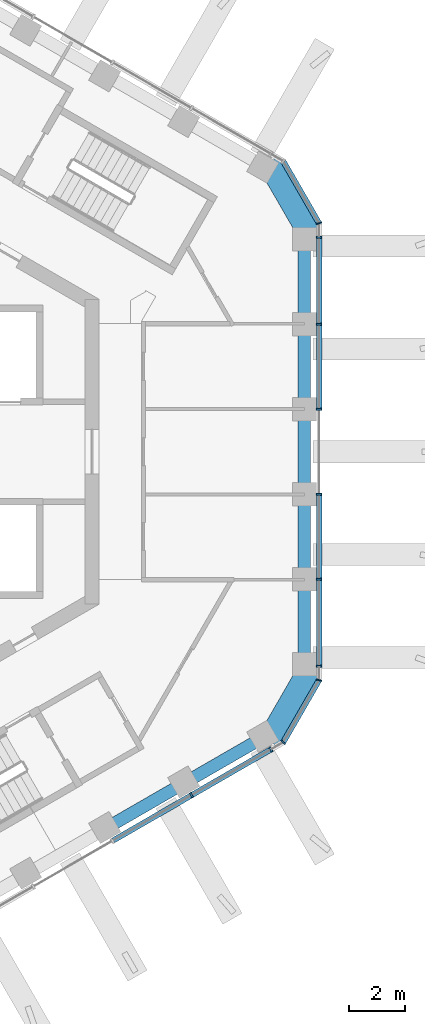
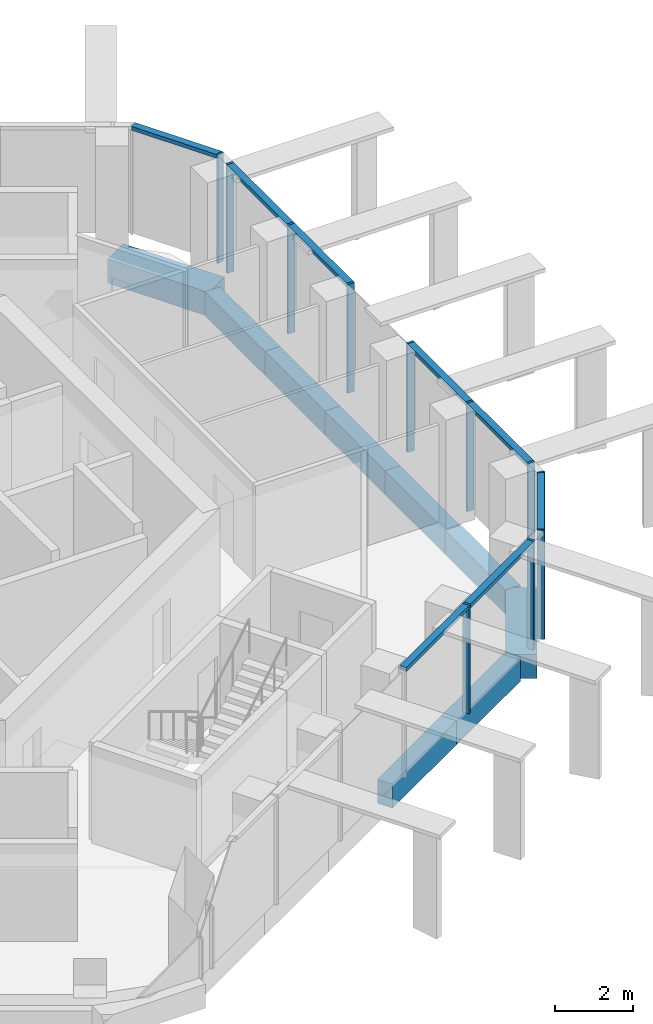
# One storey, part 4 of 19: 16 members, 9 beams, 4 elements without a shape of their own.
"""IFC4 building model written with IfcOpenShell, lengths in metres."""

import ifcopenshell
import ifcopenshell.guid

model = None  # the IFC model being written
_history = None  # IfcOwnerHistory: only IFC2X3 demands one
_inside = {}  # id of a spatial element -> (the spatial element, [elements in it])
_under = {}  # id of a project, library or spatial element -> (it, [spatial elements below it])
_declared = {}  # id of a project -> (the project, [libraries it declares])
_typed = {}  # id of a type object -> (the type object, [elements of that type])
_made_of = {}  # id of a material, layer set ... -> (it, [elements and type objects made of it])


def new_model(schema):
    """Start an empty IFC model of exactly this schema.

    Asked for "IFC4X3", IfcOpenShell would pick the latest addendum, in which some entities
    have other attributes; the version numbers below select the first issue.
    IFC2X3 requires an IfcOwnerHistory on every rooted entity: one is made here for all.
    """
    global model, _history
    if schema == "IFC4X3":
        model = ifcopenshell.file(schema_version=(4, 3, 0, 0))
    else:
        model = ifcopenshell.file(schema=schema)
    _inside.clear()
    _under.clear()
    _declared.clear()
    _typed.clear()
    _made_of.clear()
    _history = None
    if model.schema == "IFC2X3":
        org = make("IfcOrganization", Name="unknown")
        user = make(
            "IfcPersonAndOrganization",
            ThePerson=make("IfcPerson", FamilyName="unknown"),
            TheOrganization=org,
        )
        app = make(
            "IfcApplication",
            ApplicationDeveloper=org,
            Version="unknown",
            ApplicationFullName="unknown",
            ApplicationIdentifier="unknown",
        )
        _history = make(
            "IfcOwnerHistory",
            OwningUser=user,
            OwningApplication=app,
            ChangeAction="ADDED",
            CreationDate=0,
        )
    return model


def make(cls, **values):
    """One entity of the class cls with the attributes given. An attribute that is None is left unset."""
    return model.create_entity(
        cls, **{name: value for name, value in values.items() if value is not None}
    )


def rooted(cls, **values):
    """An entity with a GlobalId (a new one), such as an element, a storey or a relation."""
    return make(cls, GlobalId=ifcopenshell.guid.new(), OwnerHistory=_history, **values)


def si_unit(unit_type, name, prefix=None):
    """IfcSIUnit, for example si_unit("LENGTHUNIT", "METRE", prefix="MILLI")."""
    return make("IfcSIUnit", UnitType=unit_type, Prefix=prefix, Name=name)


def assignment(units):
    """IfcUnitAssignment: the units of a project."""
    return None if units is None else make("IfcUnitAssignment", Units=units)


def point(xyz):
    """IfcCartesianPoint."""
    return None if xyz is None else make("IfcCartesianPoint", Coordinates=xyz)


def direction(xyz):
    """IfcDirection."""
    return None if xyz is None else make("IfcDirection", DirectionRatios=xyz)


def frame(location, z_axis=None, x_axis=None):
    """IfcAxis2Placement3D, a coordinate frame: its origin and axes. An axis left out is left unset."""
    return make(
        "IfcAxis2Placement3D",
        Location=point(location),
        Axis=direction(z_axis),
        RefDirection=direction(x_axis),
    )


def frame_2d(location, x_axis=None):
    """IfcAxis2Placement2D, a coordinate frame in the plane: its origin and x axis."""
    return make(
        "IfcAxis2Placement2D", Location=point(location), RefDirection=direction(x_axis)
    )


def origin():
    """The frame at (0, 0, 0) with its axes left unset."""
    return frame((0.0, 0.0, 0.0))


def origin_2d():
    """The frame at (0, 0) in the plane with its x axis left unset."""
    return frame_2d((0.0, 0.0))


def place(relative_to, where):
    """IfcLocalPlacement: puts the frame where relative to a parent placement (None: the world)."""
    return make(
        "IfcLocalPlacement", PlacementRelTo=relative_to, RelativePlacement=where
    )


def context(
    kind, dimensions, precision=None, world=None, true_north=None, identifier=None
):
    """IfcGeometricRepresentationContext, for example the 3D "Model" context."""
    return make(
        "IfcGeometricRepresentationContext",
        ContextIdentifier=identifier,
        ContextType=kind,
        CoordinateSpaceDimension=dimensions,
        Precision=precision,
        WorldCoordinateSystem=world,
        TrueNorth=true_north,
    )


def subcontext(parent, identifier, kind, view, scale=None):
    """IfcGeometricRepresentationSubContext, for example "Body" below "Model"."""
    return make(
        "IfcGeometricRepresentationSubContext",
        ContextIdentifier=identifier,
        ContextType=kind,
        ParentContext=parent,
        TargetScale=scale,
        TargetView=view,
    )


def project(units=None, contexts=None):
    """IfcProject with its units and contexts."""
    return rooted(
        "IfcProject",
        Name="project",
        RepresentationContexts=contexts,
        UnitsInContext=assignment(units),
    )


def spatial(cls, under=None, at=None, **own):
    """A site, building, storey or space (cls), placed at a placement, below another one or the project."""
    s = rooted(cls, ObjectPlacement=at, **own)
    if under is not None:
        _under.setdefault(under.id(), (under, []))[1].append(s)
    return s


def profile(cls, at=None, kind="AREA", **sizes):
    """A parametric profile (cls). Its sizes go by their IFC names, for example OverallWidth=200.0."""
    return make(cls, ProfileType=kind, Position=at, **sizes)


def rectangle(**sizes):
    """IfcRectangleProfileDef."""
    return profile("IfcRectangleProfileDef", **sizes)


def extrude(swept, where, along, depth):
    """IfcExtrudedAreaSolid: the profile swept, set in the frame where, extruded along a direction by depth."""
    return make(
        "IfcExtrudedAreaSolid",
        SweptArea=swept,
        Position=where,
        ExtrudedDirection=direction(along),
        Depth=depth,
    )


def shape(context_of_items, identifier, shape_type, items):
    """IfcShapeRepresentation: the items that make up one representation, for example the "Body"."""
    return make(
        "IfcShapeRepresentation",
        ContextOfItems=context_of_items,
        RepresentationIdentifier=identifier,
        RepresentationType=shape_type,
        Items=items,
    )


def material(Name=None, Category=None):
    """IfcMaterial."""
    return make("IfcMaterial", Name=Name, Category=Category)


def layer(
    of_material, thickness, ventilated=None, Name=None, Category=None, Priority=None
):
    """IfcMaterialLayer: one layer of a wall or slab, of a material (None: an air gap)."""
    return make(
        "IfcMaterialLayer",
        Material=of_material,
        LayerThickness=thickness,
        IsVentilated=ventilated,
        Name=Name,
        Category=Category,
        Priority=Priority,
    )


def layer_set(layers, Name=None):
    """IfcMaterialLayerSet."""
    return make("IfcMaterialLayerSet", MaterialLayers=layers, LayerSetName=Name)


def material_profile(
    of_material, cross_section, Name=None, Category=None, Priority=None
):
    """IfcMaterialProfile: a cross section and its material."""
    return make(
        "IfcMaterialProfile",
        Name=Name,
        Material=of_material,
        Profile=cross_section,
        Priority=Priority,
        Category=Category,
    )


def profile_set(profiles, Name=None, composite=None):
    """IfcMaterialProfileSet."""
    return make(
        "IfcMaterialProfileSet",
        Name=Name,
        MaterialProfiles=profiles,
        CompositeProfile=composite,
    )


def made_of(thing, what):
    """Note that an element or type object is made of a material, layer set ...; save() writes the relation."""
    if what is not None:
        _made_of.setdefault(what.id(), (what, []))[1].append(thing)
    return thing


def type_object(cls, material=None, **own):
    """A type object (cls), such as IfcWallType, which elements share."""
    return made_of(rooted(cls, **own), material)


def element(
    cls,
    number,
    at=None,
    inside=None,
    cuts=None,
    type_object=None,
    material=None,
    context=None,
    identifier="Body",
    shape_type=None,
    held_by="IfcProductDefinitionShape",
    body=None,
    shapes=None,
    **own,
):
    """One element of the class cls, such as IfcWall. Its Tag is "e" and its number.

    at: its placement. inside: the storey or other place that contains it. cuts: it is an
    opening in that element (IfcRelVoidsElement). A single representation is given by context,
    identifier, shape_type and body (its items); several are given by shapes. held_by: the class
    of the entity that holds the representations. save() writes the other relations.
    """
    e = rooted(cls, Tag="e%d" % number, ObjectPlacement=at, **own)
    if body is not None:
        shapes = [shape(context, identifier, shape_type, body)]
    if shapes is not None:
        e.Representation = make(held_by, Representations=shapes)
    if inside is not None:
        _inside.setdefault(inside.id(), (inside, []))[1].append(e)
    if cuts is not None:
        rooted(
            "IfcRelVoidsElement", RelatingBuildingElement=cuts, RelatedOpeningElement=e
        )
    if type_object is not None:
        _typed.setdefault(type_object.id(), (type_object, []))[1].append(e)
    return made_of(e, material)


def aggregate(whole, parts):
    """IfcRelAggregates: a whole, such as a stair, and the parts it consists of."""
    return rooted("IfcRelAggregates", RelatingObject=whole, RelatedObjects=parts)


def save(model, path):
    """Write the relations noted so far, then the file.

    IfcRelAggregates (storeys below a building ...), IfcRelContainedInSpatialStructure (elements
    in a storey), IfcRelDefinesByType, IfcRelAssociatesMaterial and IfcRelDeclares: one each for
    every whole, place, type object, material and project.
    """
    for whole, parts in _under.values():
        aggregate(whole, parts)
    for where, things in _inside.values():
        rooted(
            "IfcRelContainedInSpatialStructure",
            RelatedElements=things,
            RelatingStructure=where,
        )
    for kind, things in _typed.values():
        rooted("IfcRelDefinesByType", RelatedObjects=things, RelatingType=kind)
    for what, things in _made_of.values():
        rooted("IfcRelAssociatesMaterial", RelatedObjects=things, RelatingMaterial=what)
    for by, libraries in _declared.values():
        rooted("IfcRelDeclares", RelatingContext=by, RelatedDefinitions=libraries)
    model.write(path)


model = new_model("IFC4")

# Units and contexts
model_context = context("Model", 3, precision=1e-05, world=origin(), true_north=direction((0.0, 1.0)))
body_context = subcontext(model_context, "Body", "Model", "MODEL_VIEW")
ifc_project = project(units=[si_unit("LENGTHUNIT", "METRE"), si_unit("AREAUNIT", "SQUARE_METRE"), si_unit("VOLUMEUNIT", "CUBIC_METRE"), si_unit("PLANEANGLEUNIT", "RADIAN"), si_unit("MASSUNIT", "GRAM", prefix="KILO")], contexts=[model_context])

# Site, building, storey
site_placement = place(None, origin())
site = spatial("IfcSite", under=ifc_project, at=site_placement, CompositionType="ELEMENT")
building_placement = place(site_placement, origin())
building = spatial("IfcBuilding", under=site, at=building_placement, Name="Ayvan Gate Tower", CompositionType="ELEMENT")
storey_placement = place(building_placement, frame((0.0, 0.0, 235.89990234375)))
storey = spatial("IfcBuildingStorey", under=building, at=storey_placement, Name="L63", CompositionType="ELEMENT", Elevation=235.89990234375)

# Beams
ifc_material_1 = material(Name="Concrete C40/50", Category="concrete")
ifc_material_profile_1 = material_profile(ifc_material_1, rectangle(XDim=0.800048828125, YDim=0.75, at=origin_2d()), Name="RC 800x750")
ifc_profile_set_1 = profile_set([ifc_material_profile_1], Name="Concrete C40/50")
beam_type_1 = type_object("IfcBeamType", Name="Corner spandrel beam RC 800x750 C40/50", PredefinedType="BEAM", material=ifc_profile_set_1)
for number, where, z_axis, x_axis, name in (
    (1, (17.078125, 7.7998046875, -0.724853515625), (-0.499990139034, 0.866031096941, 0.0), (-0.866031096941, -0.499990139034, 0.0), "SB-L63-6"),
    (2, (15.578125, -10.39794921875, -0.724853515625), (0.499990139034, 0.866031096941, 0.0), (-0.866031096941, 0.499990139034, 0.0), "SB-L63-36"),
):
    element("IfcBeam", number, at=place(storey_placement, frame(where, z_axis=z_axis, x_axis=x_axis)), inside=storey, type_object=beam_type_1, Name=name, PredefinedType="BEAM", context=body_context, shape_type="SweptSolid", body=[
        extrude(rectangle(XDim=0.800048828125, YDim=0.75, at=origin_2d()), origin(), (0.0, 0.0, 1.0), 3.0),
    ])
ifc_material_profile_2 = material_profile(ifc_material_1, rectangle(XDim=0.449951171875, YDim=0.75, at=origin_2d()), Name="RC 450x750")
ifc_profile_set_2 = profile_set([ifc_material_profile_2], Name="Concrete C40/50")
beam_type_2 = type_object("IfcBeamType", Name="Spandrel beam RC 450x750 C40/50", PredefinedType="BEAM", material=ifc_profile_set_2)
for number, where, z_axis, x_axis, name in (
    (3, (16.887451171875, -7.68994140625, -0.724853515625), (0.0, 1.0, 0.0), (-1.0, 0.0, 0.0), "SB-L63-1"),
    (4, (16.887451171875, -4.614013671875, -0.724853515625), (0.0, 1.0, 0.0), (-1.0, 0.0, 0.0), "SB-L63-2"),
):
    element("IfcBeam", number, at=place(storey_placement, frame(where, z_axis=z_axis, x_axis=x_axis)), inside=storey, type_object=beam_type_2, Name=name, PredefinedType="BEAM", context=body_context, shape_type="SweptSolid", body=[
        extrude(rectangle(XDim=0.449951171875, YDim=0.75, at=origin_2d()), origin(), (0.0, 0.0, 1.0), 3.075927734375),
    ])
beam_1_placement = place(storey_placement, frame((16.887451171875, -1.5380859375, -0.724853515625), z_axis=(0.0, 1.0, 0.0), x_axis=(-1.0, 0.0, 0.0)))
element("IfcBeam", 5, at=beam_1_placement, inside=storey, type_object=beam_type_2, Name="SB-L63-3", PredefinedType="BEAM", context=body_context, shape_type="SweptSolid", body=[
    extrude(rectangle(XDim=0.449951171875, YDim=0.75, at=origin_2d()), origin(), (0.0, 0.0, 1.0), 3.076171875),
])
for number, where, z_axis, x_axis, name in (
    (6, (16.887451171875, 1.5380859375, -0.724853515625), (0.0, 1.0, 0.0), (-1.0, 0.0, 0.0), "SB-L63-4"),
    (7, (16.887451171875, 4.614013671875, -0.724853515625), (0.0, 1.0, 0.0), (-1.0, 0.0, 0.0), "SB-L63-5"),
):
    element("IfcBeam", number, at=place(storey_placement, frame(where, z_axis=z_axis, x_axis=x_axis)), inside=storey, type_object=beam_type_2, Name=name, PredefinedType="BEAM", context=body_context, shape_type="SweptSolid", body=[
        extrude(rectangle(XDim=0.449951171875, YDim=0.75, at=origin_2d()), origin(), (0.0, 0.0, 1.0), 3.075927734375),
    ])
beam_2_placement = place(storey_placement, frame((9.71875, -13.560791015625, -0.724853515625), z_axis=(0.866026586771, 0.499997951001, 0.0), x_axis=(-0.499997951001, 0.866026586771, 0.0)))
element("IfcBeam", 8, at=beam_2_placement, inside=storey, type_object=beam_type_2, Name="SB-L63-34", PredefinedType="BEAM", context=body_context, shape_type="SweptSolid", body=[
    extrude(rectangle(XDim=0.449951171875, YDim=0.75, at=origin_2d()), origin(), (0.0, 0.0, 1.0), 3.27294921875),
])
beam_3_placement = place(storey_placement, frame((12.55322265625, -11.92431640625, -0.724853515625), z_axis=(0.8660402394, 0.49997430308, 0.0), x_axis=(-0.49997430308, 0.8660402394, 0.0)))
element("IfcBeam", 9, at=beam_3_placement, inside=storey, type_object=beam_type_2, Name="SB-L63-35", PredefinedType="BEAM", context=body_context, shape_type="SweptSolid", body=[
    extrude(rectangle(XDim=0.449951171875, YDim=0.75, at=origin_2d()), origin(), (0.0, 0.0, 1.0), 3.272705078125),
])

# Curtain wall, members
ifc_material_2 = material(Name="Bronze anodised aluminium", Category="aluminium")
ifc_layer_1 = layer(ifc_material_2, 0.199951171875)
ifc_layer_set_1 = layer_set([ifc_layer_1], Name="Bronze anodised aluminium")
curtain_wall_type_1 = type_object("IfcCurtainWallType", Name="Stick curtain wall CW-2", PredefinedType="NOTDEFINED", material=ifc_layer_set_1)
curtain_wall_1_placement = place(storey_placement, origin())
curtain_wall_1 = element("IfcCurtainWall", 10, at=curtain_wall_1_placement, inside=storey, type_object=curtain_wall_type_1, Name="Stick curtain wall CW-2 L63", PredefinedType="NOTDEFINED")
ifc_material_profile_3 = material_profile(ifc_material_2, rectangle(XDim=0.199951171875, YDim=0.070068359375, at=origin_2d()), Name="Stick curtain wall CW-2 mullion 200 x 70")
ifc_profile_set_3 = profile_set([ifc_material_profile_3], Name="Bronze anodised aluminium")
member_type_1 = type_object("IfcMemberType", Name="Stick curtain wall CW-2 mullion 200 x 70", PredefinedType="MULLION", material=ifc_profile_set_3)
member_1_placement = place(storey_placement, frame((12.82177734375, -12.36083984375, 0.0), z_axis=(0.0, 0.0, 1.0), x_axis=(0.5, -0.866025403784, 0.0)))
member_1 = element("IfcMember", 11, at=member_1_placement, type_object=member_type_1, Name="CW-2 mullion 5", PredefinedType="MULLION", context=body_context, shape_type="SweptSolid", body=[
    extrude(rectangle(XDim=0.199951171875, YDim=0.070068359375, at=origin_2d()), origin(), (0.0, 0.0, 1.0), 3.400146484375),
])
member_2_placement = place(storey_placement, frame((15.679443359375, -10.7109375, 0.0), z_axis=(0.0, 0.0, 1.0), x_axis=(0.5, -0.866025403784, 0.0)))
member_2 = element("IfcMember", 12, at=member_2_placement, type_object=member_type_1, Name="CW-2 mullion 6", PredefinedType="MULLION", context=body_context, shape_type="SweptSolid", body=[
    extrude(rectangle(XDim=0.199951171875, YDim=0.070068359375, at=origin_2d()), origin(), (0.0, 0.0, 1.0), 3.400146484375),
])

curtain_wall_2_placement = place(storey_placement, origin())
curtain_wall_2 = element("IfcCurtainWall", 13, at=curtain_wall_2_placement, inside=storey, type_object=curtain_wall_type_1, Name="Stick curtain wall CW-2 L63", PredefinedType="NOTDEFINED")
member_3_placement = place(storey_placement, frame((17.41259765625, -7.70947265625, 0.0), z_axis=(0.0, 0.0, 1.0), x_axis=(1.0, 0.0, 0.0)))
member_3 = element("IfcMember", 14, at=member_3_placement, type_object=member_type_1, Name="CW-2 mullion 1", PredefinedType="MULLION", context=body_context, shape_type="SweptSolid", body=[
    extrude(rectangle(XDim=0.199951171875, YDim=0.070068359375, at=origin_2d()), origin(), (0.0, 0.0, 1.0), 3.400146484375),
])
member_4_placement = place(storey_placement, frame((17.41259765625, -4.58447265625, 0.0), z_axis=(0.0, 0.0, 1.0), x_axis=(1.0, 0.0, 0.0)))
member_4 = element("IfcMember", 15, at=member_4_placement, type_object=member_type_1, Name="CW-2 mullion 2", PredefinedType="MULLION", context=body_context, shape_type="SweptSolid", body=[
    extrude(rectangle(XDim=0.199951171875, YDim=0.070068359375, at=origin_2d()), origin(), (0.0, 0.0, 1.0), 3.400146484375),
])
member_5_placement = place(storey_placement, frame((17.41259765625, -1.5283203125, 0.0), z_axis=(0.0, 0.0, 1.0), x_axis=(1.0, 0.0, 0.0)))
member_5 = element("IfcMember", 16, at=member_5_placement, type_object=member_type_1, Name="CW-2 mullion 3", PredefinedType="MULLION", context=body_context, shape_type="SweptSolid", body=[
    extrude(rectangle(XDim=0.199951171875, YDim=0.070068359375, at=origin_2d()), origin(), (0.0, 0.0, 1.0), 3.400146484375),
])
member_6_placement = place(storey_placement, frame((17.41259765625, 1.528564453125, 0.0), z_axis=(0.0, 0.0, 1.0), x_axis=(1.0, 0.0, 0.0)))
member_6 = element("IfcMember", 17, at=member_6_placement, type_object=member_type_1, Name="CW-2 mullion 4", PredefinedType="MULLION", context=body_context, shape_type="SweptSolid", body=[
    extrude(rectangle(XDim=0.199951171875, YDim=0.070068359375, at=origin_2d()), origin(), (0.0, 0.0, 1.0), 3.400146484375),
])
member_7_placement = place(storey_placement, frame((17.41259765625, 4.58447265625, 0.0), z_axis=(0.0, 0.0, 1.0), x_axis=(1.0, 0.0, 0.0)))
member_7 = element("IfcMember", 18, at=member_7_placement, type_object=member_type_1, Name="CW-2 mullion 5", PredefinedType="MULLION", context=body_context, shape_type="SweptSolid", body=[
    extrude(rectangle(XDim=0.199951171875, YDim=0.070068359375, at=origin_2d()), origin(), (0.0, 0.0, 1.0), 3.400146484375),
])
member_8_placement = place(storey_placement, frame((17.41259765625, 7.70947265625, 0.0), z_axis=(0.0, 0.0, 1.0), x_axis=(1.0, 0.0, 0.0)))
member_8 = element("IfcMember", 19, at=member_8_placement, type_object=member_type_1, Name="CW-2 mullion 6", PredefinedType="MULLION", context=body_context, shape_type="SweptSolid", body=[
    extrude(rectangle(XDim=0.199951171875, YDim=0.070068359375, at=origin_2d()), origin(), (0.0, 0.0, 1.0), 3.400146484375),
])

# Member
ifc_material_profile_4 = material_profile(ifc_material_2, rectangle(XDim=0.199951171875, YDim=0.1201171875, at=origin_2d()), Name="Stick curtain wall CW-2 transom 200 x 120")
ifc_profile_set_4 = profile_set([ifc_material_profile_4], Name="Bronze anodised aluminium")
member_type_2 = type_object("IfcMemberType", Name="Stick curtain wall CW-2 transom 200 x 120", PredefinedType="USERDEFINED", material=ifc_profile_set_4)
member_9_placement = place(storey_placement, frame((10.009765625, -13.984375, 3.340087890625), z_axis=(0.866022259828, 0.500005445454, 0.0), x_axis=(-0.500005445454, 0.866022259828, 0.0)))
member_9 = element("IfcMember", 20, at=member_9_placement, type_object=member_type_2, Name="CW-2 transom 2", ObjectType="TRANSOM", PredefinedType="USERDEFINED", context=body_context, shape_type="SweptSolid", body=[
    extrude(rectangle(XDim=0.199951171875, YDim=0.1201171875, at=origin_2d()), origin(), (0.0, 0.0, 1.0), 6.546875),
])

aggregate(curtain_wall_1, [member_1, member_2, member_9])

member_10_placement = place(storey_placement, frame((17.41259765625, -7.70947265625, 3.340087890625), z_axis=(0.0, 1.0, 0.0), x_axis=(-1.0, 0.0, 0.0)))
member_10 = element("IfcMember", 21, at=member_10_placement, type_object=member_type_2, Name="CW-2 transom 1", ObjectType="TRANSOM", PredefinedType="USERDEFINED", context=body_context, shape_type="SweptSolid", body=[
    extrude(rectangle(XDim=0.199951171875, YDim=0.1201171875, at=origin_2d()), origin(), (0.0, 0.0, 1.0), 6.14599609375),
])

member_11_placement = place(storey_placement, frame((17.41259765625, 1.5634765625, 3.340087890625), z_axis=(0.0, 1.0, 0.0), x_axis=(-1.0, 0.0, 0.0)))
member_11 = element("IfcMember", 22, at=member_11_placement, type_object=member_type_2, Name="CW-2 transom 2", ObjectType="TRANSOM", PredefinedType="USERDEFINED", context=body_context, shape_type="SweptSolid", body=[
    extrude(rectangle(XDim=0.199951171875, YDim=0.1201171875, at=origin_2d()), origin(), (0.0, 0.0, 1.0), 6.14599609375),
])

aggregate(curtain_wall_2, [member_3, member_4, member_5, member_6, member_7, member_8, member_10, member_11])

# Curtain wall, members
ifc_layer_2 = layer(ifc_material_2, 0.199951171875)
ifc_layer_set_2 = layer_set([ifc_layer_2], Name="Bronze anodised aluminium")
curtain_wall_type_2 = type_object("IfcCurtainWallType", Name="Stick curtain wall CW-6", PredefinedType="NOTDEFINED", material=ifc_layer_set_2)
curtain_wall_3_placement = place(storey_placement, origin())
curtain_wall_3 = element("IfcCurtainWall", 23, at=curtain_wall_3_placement, inside=storey, type_object=curtain_wall_type_2, Name="Stick curtain wall CW-6 L63", PredefinedType="NOTDEFINED")
ifc_material_profile_5 = material_profile(ifc_material_2, rectangle(XDim=0.199951171875, YDim=0.050048828125, at=origin_2d()), Name="Stick curtain wall CW-6 mullion 200 x 50")
ifc_profile_set_5 = profile_set([ifc_material_profile_5], Name="Bronze anodised aluminium")
member_type_3 = type_object("IfcMemberType", Name="Stick curtain wall CW-6 mullion 200 x 50", PredefinedType="MULLION", material=ifc_profile_set_5)
member_12_placement = place(storey_placement, frame((16.12109375, -10.4560546875, 0.0), z_axis=(0.0, 0.0, 1.0), x_axis=(0.707106781187, -0.707106781187, 0.0)))
member_12 = element("IfcMember", 24, at=member_12_placement, type_object=member_type_3, Name="CW-6 mullion 2", PredefinedType="MULLION", context=body_context, shape_type="SweptSolid", body=[
    extrude(rectangle(XDim=0.199951171875, YDim=0.050048828125, at=origin_2d()), origin(), (0.0, 0.0, 1.0), 3.400146484375),
])
member_13_placement = place(storey_placement, frame((17.41259765625, -8.219482421875, 0.0), z_axis=(0.0, 0.0, 1.0), x_axis=(0.965925826289, -0.258819045103, 0.0)))
member_13 = element("IfcMember", 25, at=member_13_placement, type_object=member_type_3, Name="CW-6 mullion 3", PredefinedType="MULLION", context=body_context, shape_type="SweptSolid", body=[
    extrude(rectangle(XDim=0.199951171875, YDim=0.050048828125, at=origin_2d()), origin(), (0.0, 0.0, 1.0), 3.400146484375),
])

# Curtain wall, member
curtain_wall_4_placement = place(storey_placement, origin())
curtain_wall_4 = element("IfcCurtainWall", 26, at=curtain_wall_4_placement, inside=storey, type_object=curtain_wall_type_2, Name="Stick curtain wall CW-6 L63", PredefinedType="NOTDEFINED")
member_14_placement = place(storey_placement, frame((17.41259765625, 8.219482421875, 0.0), z_axis=(0.0, 0.0, 1.0), x_axis=(0.965925826289, 0.258819045103, 0.0)))
member_14 = element("IfcMember", 27, at=member_14_placement, type_object=member_type_3, Name="CW-6 mullion 2", PredefinedType="MULLION", context=body_context, shape_type="SweptSolid", body=[
    extrude(rectangle(XDim=0.199951171875, YDim=0.050048828125, at=origin_2d()), origin(), (0.0, 0.0, 1.0), 3.400146484375),
])

# Member
ifc_material_profile_6 = material_profile(ifc_material_2, rectangle(XDim=0.199951171875, YDim=0.1201171875, at=origin_2d()), Name="Stick curtain wall CW-6 transom 200 x 120")
ifc_profile_set_6 = profile_set([ifc_material_profile_6], Name="Bronze anodised aluminium")
member_type_4 = type_object("IfcMemberType", Name="Stick curtain wall CW-6 transom 200 x 120", PredefinedType="USERDEFINED", material=ifc_profile_set_6)
member_15_placement = place(storey_placement, frame((16.1337890625, -10.434326171875, 3.340087890625), z_axis=(0.499933856714, 0.866063588261, 0.0), x_axis=(-0.866063588261, 0.499933856714, 0.0)))
member_15 = element("IfcMember", 28, at=member_15_placement, type_object=member_type_4, Name="CW-6 transom 2", ObjectType="TRANSOM", PredefinedType="USERDEFINED", context=body_context, shape_type="SweptSolid", body=[
    extrude(rectangle(XDim=0.199951171875, YDim=0.1201171875, at=origin_2d()), origin(), (0.0, 0.0, 1.0), 2.532470703125),
])

aggregate(curtain_wall_3, [member_12, member_13, member_15])

member_16_placement = place(storey_placement, frame((17.39990234375, 8.240966796875, 3.340087890625), z_axis=(-0.499933856714, 0.866063588261, 0.0), x_axis=(-0.866063588261, -0.499933856714, 0.0)))
member_16 = element("IfcMember", 29, at=member_16_placement, type_object=member_type_4, Name="CW-6 transom 2", ObjectType="TRANSOM", PredefinedType="USERDEFINED", context=body_context, shape_type="SweptSolid", body=[
    extrude(rectangle(XDim=0.199951171875, YDim=0.1201171875, at=origin_2d()), origin(), (0.0, 0.0, 1.0), 2.532470703125),
])

aggregate(curtain_wall_4, [member_14, member_16])

save(model, "model.ifc")
